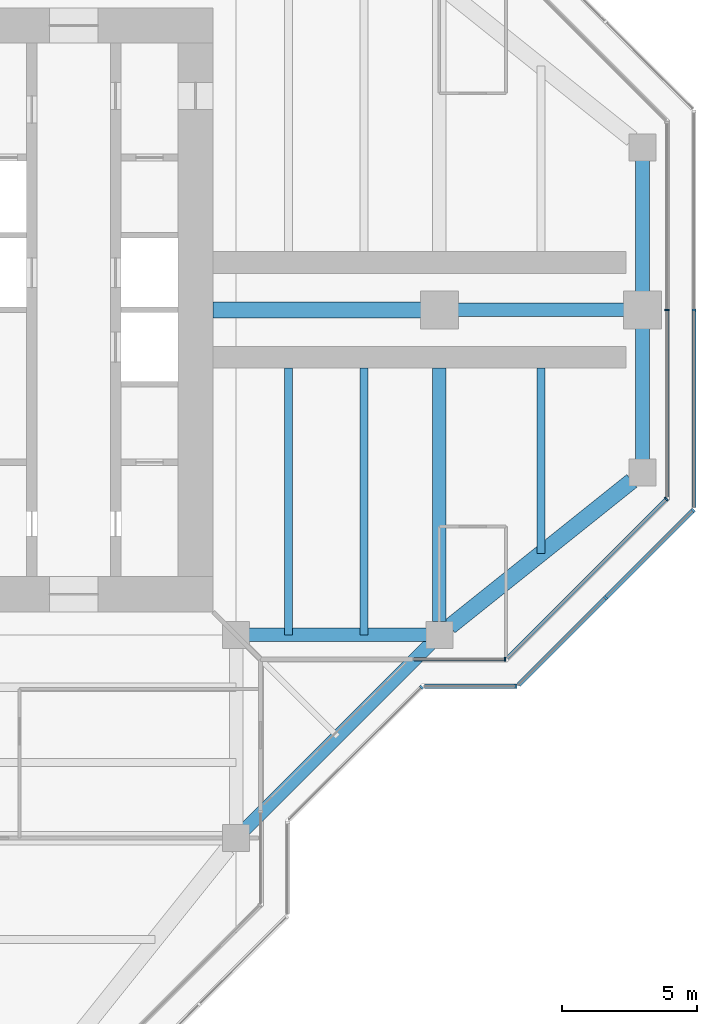
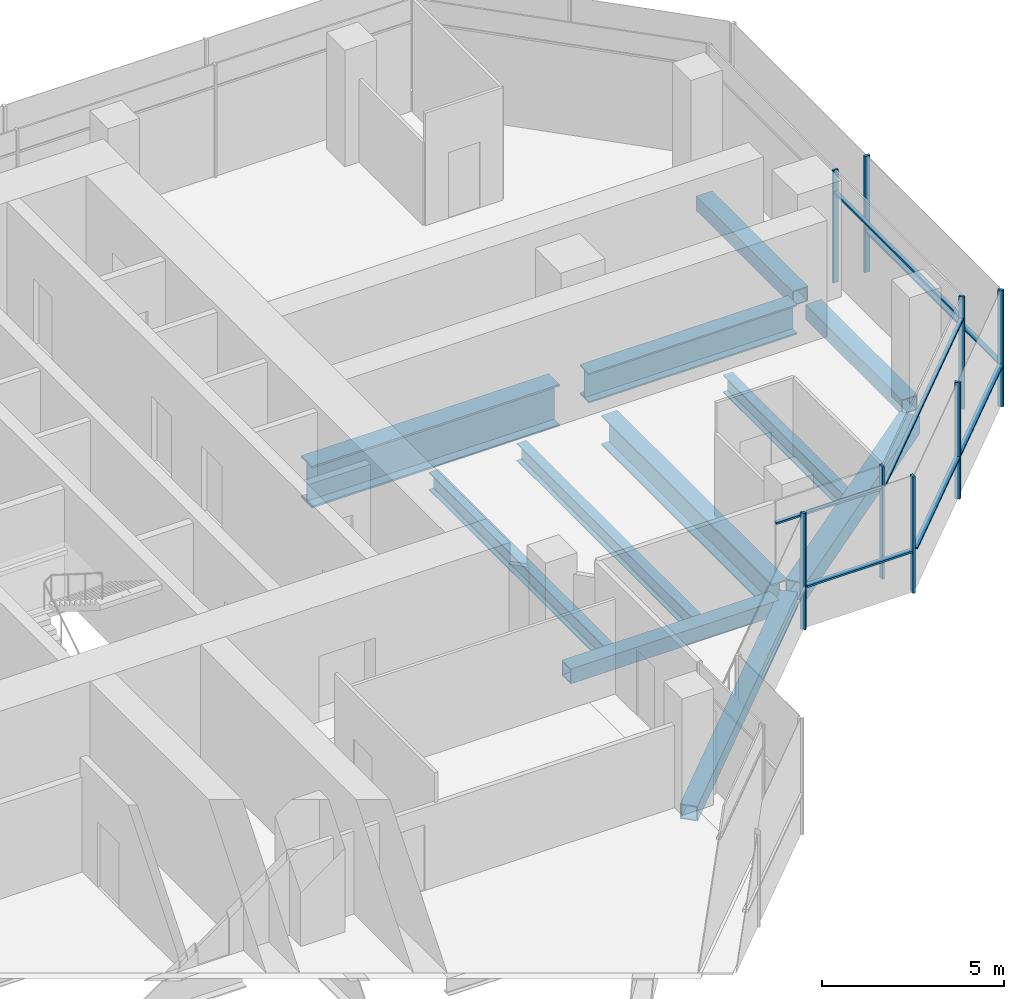
# One storey, part 5 of 15: 15 members, 11 beams, 7 elements without a shape of their own.
"""IFC4 building model written with IfcOpenShell, lengths in metres."""

from ifc_helpers import new_model, si_unit, direction, frame, origin, origin_2d, place, context, subcontext, project, spatial, rectangle, hollow_rectangle, i_section, extrude, material, material_profile, profile_set, type_object, element, aggregate, save


model = new_model("IFC4")

# Units and contexts
model_context = context("Model", 3, precision=1e-05, world=origin(), true_north=direction((0.0, 1.0)))
body_context = subcontext(model_context, "Body", "Model", "MODEL_VIEW")
ifc_project = project(units=[si_unit("LENGTHUNIT", "METRE"), si_unit("AREAUNIT", "SQUARE_METRE"), si_unit("VOLUMEUNIT", "CUBIC_METRE"), si_unit("PLANEANGLEUNIT", "RADIAN"), si_unit("MASSUNIT", "GRAM", prefix="KILO")], contexts=[model_context])

# Site, building, storey
site_placement = place(None, origin())
site = spatial("IfcSite", under=ifc_project, at=site_placement, CompositionType="ELEMENT")
building_placement = place(site_placement, origin())
building = spatial("IfcBuilding", under=site, at=building_placement, Name="Mizan Broadcast Tower", CompositionType="ELEMENT")
storey_placement = place(building_placement, frame((0.0, 0.0, 279.0)))
storey = spatial("IfcBuildingStorey", under=building, at=storey_placement, Name="L66", CompositionType="ELEMENT", Elevation=279.0)

# Beams
ifc_material_1 = material(Name="Steel S355", Category="steel")
ifc_material_profile_1 = material_profile(ifc_material_1, hollow_rectangle(XDim=0.5, YDim=0.5, WallThickness=0.030029296875, at=origin_2d()), Name="BOX 500x500x30")
ifc_profile_set_1 = profile_set([ifc_material_profile_1], Name="Steel S355")
beam_type_1 = type_object("IfcBeamType", Name="EDGE BEAM BOX 500x500x30", PredefinedType="SPANDREL", material=ifc_profile_set_1)
beam_1_placement = place(storey_placement, frame((12.449951171875, -12.0, -0.3798828125), z_axis=(1.0, 0.0, 0.0), x_axis=(0.0, 1.0, 0.0)))
element("IfcBeam", 1, at=beam_1_placement, inside=storey, type_object=beam_type_1, Name="Edge beam BOX 500x500x30 L66 east arm", PredefinedType="SPANDREL", context=body_context, shape_type="SweptSolid", body=[
    extrude(hollow_rectangle(XDim=0.5, YDim=0.5, WallThickness=0.030029296875, at=origin_2d()), origin(), (0.0, 0.0, 1.0), 6.60009765625),
])
for number, where, z_axis, x_axis, name in (
    (2, (27.0, -5.639892578125, -0.3798828125), (0.0, 1.0, 0.0), (-1.0, 0.0, 0.0), "Edge beam BOX 500x500x30 L66 east arm"),
    (3, (27.0, 5.639892578125, -0.3798828125), (0.0, -1.0, 0.0), (1.0, 0.0, 0.0), "Edge beam BOX 500x500x30 L66 east arm"),
):
    element("IfcBeam", number, at=place(storey_placement, frame(where, z_axis=z_axis, x_axis=x_axis)), inside=storey, type_object=beam_type_1, Name=name, PredefinedType="SPANDREL", context=body_context, shape_type="SweptSolid", body=[
        extrude(hollow_rectangle(XDim=0.5, YDim=0.5, WallThickness=0.030029296875, at=origin_2d()), origin(), (0.0, 0.0, 1.0), 5.27978515625),
    ])
beam_2_placement = place(storey_placement, frame((12.0, -19.5, -0.3798828125), z_axis=(0.707106781187, 0.707106781187, 0.0), x_axis=(-0.707106781187, 0.707106781187, 0.0)))
element("IfcBeam", 4, at=beam_2_placement, inside=storey, type_object=beam_type_1, Name="Winter garden edge beam L66 S", PredefinedType="SPANDREL", context=body_context, shape_type="SweptSolid", body=[
    extrude(hollow_rectangle(XDim=0.5, YDim=0.5, WallThickness=0.030029296875, at=origin_2d()), origin(), (0.0, 0.0, 1.0), 10.606689453125),
])
ifc_material_2 = material(Name="Steel S355", Category="steel")
ifc_material_profile_2 = material_profile(ifc_material_2, hollow_rectangle(XDim=0.60009765625, YDim=0.60009765625, WallThickness=0.030029296875, at=origin_2d()), Name="BOX 600x600x30")
ifc_profile_set_2 = profile_set([ifc_material_profile_2], Name="Steel S355")
beam_type_2 = type_object("IfcBeamType", Name="EDGE BEAM BOX 600x600x30", PredefinedType="SPANDREL", material=ifc_profile_set_2)
beam_3_placement = place(storey_placement, frame((19.890380859375, -11.687744140625, -0.429931640625), z_axis=(0.780863273348, 0.62470196761, 0.0), x_axis=(-0.62470196761, 0.780863273348, 0.0)))
element("IfcBeam", 5, at=beam_3_placement, inside=storey, type_object=beam_type_2, Name="Edge beam BOX 600x600x30 L66 east arm", PredefinedType="SPANDREL", context=body_context, shape_type="SweptSolid", body=[
    extrude(hollow_rectangle(XDim=0.60009765625, YDim=0.60009765625, WallThickness=0.030029296875, at=origin_2d()), origin(), (0.0, 0.0, 1.0), 8.60498046875),
])
ifc_material_3 = material(Name="Steel S460", Category="steel")
ifc_material_profile_3 = material_profile(ifc_material_3, i_section(OverallWidth=0.5, OverallDepth=1.0, WebThickness=0.02490234375, FlangeThickness=0.050048828125, at=origin_2d()), Name="WPG 1000x500")
ifc_profile_set_3 = profile_set([ifc_material_profile_3], Name="Steel S460")
beam_type_3 = type_object("IfcBeamType", Name="GIRDER WPG 1000x500", PredefinedType="BEAM", material=ifc_profile_set_3)
beam_4_placement = place(storey_placement, frame((19.949951171875, 0.0, -0.6298828125), z_axis=(1.0, 0.0, 0.0), x_axis=(0.0, 1.0, 0.0)))
element("IfcBeam", 6, at=beam_4_placement, inside=storey, type_object=beam_type_3, Name="Girder WPG 1000x500 L66 east arm", PredefinedType="BEAM", context=body_context, shape_type="SweptSolid", body=[
    extrude(i_section(OverallWidth=0.5, OverallDepth=1.0, WebThickness=0.02490234375, FlangeThickness=0.050048828125, at=origin_2d()), origin(), (0.0, 0.0, 1.0), 6.60009765625),
])
beam_5_placement = place(storey_placement, frame((19.5, -11.5, -0.6298828125), z_axis=(0.0, 1.0, 0.0), x_axis=(-1.0, 0.0, 0.0)))
element("IfcBeam", 7, at=beam_5_placement, inside=storey, type_object=beam_type_3, Name="Girder WPG 1000x500 L66 east arm", PredefinedType="BEAM", context=body_context, shape_type="SweptSolid", body=[
    extrude(i_section(OverallWidth=0.5, OverallDepth=1.0, WebThickness=0.02490234375, FlangeThickness=0.050048828125, at=origin_2d()), origin(), (0.0, 0.0, 1.0), 9.35009765625),
])
ifc_material_4 = material(Name="Steel S460", Category="steel")
ifc_material_profile_4 = material_profile(ifc_material_4, i_section(OverallWidth=0.60009765625, OverallDepth=1.39990234375, WebThickness=0.02490234375, FlangeThickness=0.06005859375, at=origin_2d()), Name="WPG 1400x600")
ifc_profile_set_4 = profile_set([ifc_material_profile_4], Name="Steel S460")
beam_type_4 = type_object("IfcBeamType", Name="GIRDER WPG 1400x600", PredefinedType="BEAM", material=ifc_profile_set_4)
beam_6_placement = place(storey_placement, frame((11.14990234375, 0.0, -0.830078125), z_axis=(1.0, 0.0, 0.0), x_axis=(0.0, 1.0, 0.0)))
element("IfcBeam", 8, at=beam_6_placement, inside=storey, type_object=beam_type_4, Name="Girder WPG 1400x600 L66 east arm", PredefinedType="BEAM", context=body_context, shape_type="SweptSolid", body=[
    extrude(i_section(OverallWidth=0.60009765625, OverallDepth=1.39990234375, WebThickness=0.02490234375, FlangeThickness=0.06005859375, at=origin_2d()), origin(), (0.0, 0.0, 1.0), 7.84912109375),
])

# Curtain wall, member
ifc_material_5 = material(Name="Aluminium framed glazing", Category="aluminium")
curtain_wall_type_1 = type_object("IfcCurtainWallType", Name="INNER SKIN TOP ZONE", PredefinedType="USERDEFINED", material=ifc_material_5)
curtain_wall_1_placement = place(storey_placement, origin())
curtain_wall_1 = element("IfcCurtainWall", 9, at=curtain_wall_1_placement, inside=storey, type_object=curtain_wall_type_1, Name="Inner skin top zone L66 E side", ObjectType="INNER SKIN TOP ZONE", PredefinedType="USERDEFINED")
ifc_material_6 = material(Name="Aluminium, pale anodised", Category="aluminium")
ifc_material_profile_5 = material_profile(ifc_material_6, rectangle(XDim=0.159912109375, YDim=0.06005859375, at=origin_2d()), Name="MULLION 160x60")
ifc_profile_set_5 = profile_set([ifc_material_profile_5], Name="Aluminium, pale anodised")
member_type_1 = type_object("IfcMemberType", Name="INNER SKIN MULLION 60x160", PredefinedType="MULLION", material=ifc_profile_set_5)
member_1_placement = place(storey_placement, frame((21.928466796875, -12.89990234375, 0.0), z_axis=(0.0, 0.0, 1.0), x_axis=(0.0, 1.0, 0.0)))
member_1 = element("IfcMember", 10, at=member_1_placement, type_object=member_type_1, Name="Inner skin top zone L66 E side mullion 2", PredefinedType="MULLION", context=body_context, shape_type="SweptSolid", body=[
    extrude(rectangle(XDim=0.159912109375, YDim=0.06005859375, at=origin_2d()), origin(), (0.0, 0.0, 1.0), 3.77001953125),
])

curtain_wall_2_placement = place(storey_placement, origin())
curtain_wall_2 = element("IfcCurtainWall", 11, at=curtain_wall_2_placement, inside=storey, type_object=curtain_wall_type_1, Name="Inner skin top zone L66 E chamfer", ObjectType="INNER SKIN TOP ZONE", PredefinedType="USERDEFINED")
member_2_placement = place(storey_placement, frame((27.87890625, -6.979736328125, 0.0), z_axis=(0.0, 0.0, 1.0), x_axis=(-0.707106781187, 0.707106781187, 0.0)))
member_2 = element("IfcMember", 12, at=member_2_placement, type_object=member_type_1, Name="Inner skin top zone L66 E chamfer mullion 2", PredefinedType="MULLION", context=body_context, shape_type="SweptSolid", body=[
    extrude(rectangle(XDim=0.159912109375, YDim=0.06005859375, at=origin_2d()), origin(), (0.0, 0.0, 1.0), 3.77001953125),
])

curtain_wall_3_placement = place(storey_placement, origin())
curtain_wall_3 = element("IfcCurtainWall", 13, at=curtain_wall_3_placement, inside=storey, type_object=curtain_wall_type_1, Name="Inner skin top zone L66 E end", ObjectType="INNER SKIN TOP ZONE", PredefinedType="USERDEFINED")
member_3_placement = place(storey_placement, frame((27.89990234375, 0.0, 0.0), z_axis=(0.0, 0.0, 1.0), x_axis=(-1.0, 0.0, 0.0)))
member_3 = element("IfcMember", 14, at=member_3_placement, type_object=member_type_1, Name="Inner skin top zone L66 E end mullion 2", PredefinedType="MULLION", context=body_context, shape_type="SweptSolid", body=[
    extrude(rectangle(XDim=0.159912109375, YDim=0.06005859375, at=origin_2d()), origin(), (0.0, 0.0, 1.0), 3.77001953125),
])

# Member
ifc_material_7 = material(Name="Aluminium, pale anodised", Category="aluminium")
ifc_material_profile_6 = material_profile(ifc_material_7, rectangle(XDim=0.1201171875, YDim=0.06005859375, at=origin_2d()), Name="TRANSOM 120x60")
ifc_profile_set_6 = profile_set([ifc_material_profile_6], Name="Aluminium, pale anodised")
member_type_2 = type_object("IfcMemberType", Name="INNER SKIN TRANSOM 60x120", PredefinedType="USERDEFINED", material=ifc_profile_set_6)
member_4_placement = place(storey_placement, frame((18.56005859375, -12.89990234375, 3.030029296875), z_axis=(1.0, 0.0, 0.0), x_axis=(0.0, 1.0, 0.0)))
member_4 = element("IfcMember", 15, at=member_4_placement, type_object=member_type_2, Name="Inner skin top zone L66 E side transom 1.1", ObjectType="TRANSOM", PredefinedType="USERDEFINED", context=body_context, shape_type="SweptSolid", body=[
    extrude(rectangle(XDim=0.1201171875, YDim=0.06005859375, at=origin_2d()), origin(), (0.0, 0.0, 1.0), 3.338623046875),
])

aggregate(curtain_wall_1, [member_1, member_4])

member_5_placement = place(storey_placement, frame((22.0009765625, -12.857666015625, 3.030029296875), z_axis=(0.707106781187, 0.707106781187, 0.0), x_axis=(-0.707106781187, 0.707106781187, 0.0)))
member_5 = element("IfcMember", 16, at=member_5_placement, type_object=member_type_2, Name="Inner skin top zone L66 E chamfer transom 1.1", ObjectType="TRANSOM", PredefinedType="USERDEFINED", context=body_context, shape_type="SweptSolid", body=[
    extrude(rectangle(XDim=0.1201171875, YDim=0.06005859375, at=origin_2d()), origin(), (0.0, 0.0, 1.0), 8.28271484375),
])

aggregate(curtain_wall_2, [member_2, member_5])

member_6_placement = place(storey_placement, frame((27.89990234375, -6.898681640625, 3.030029296875), z_axis=(0.0, 1.0, 0.0), x_axis=(-1.0, 0.0, 0.0)))
member_6 = element("IfcMember", 17, at=member_6_placement, type_object=member_type_2, Name="Inner skin top zone L66 E end transom 1.1", ObjectType="TRANSOM", PredefinedType="USERDEFINED", context=body_context, shape_type="SweptSolid", body=[
    extrude(rectangle(XDim=0.1201171875, YDim=0.06005859375, at=origin_2d()), origin(), (0.0, 0.0, 1.0), 6.86865234375),
])

aggregate(curtain_wall_3, [member_3, member_6])

# Curtain wall, member
ifc_material_8 = material(Name="Aluminium framed glazing", Category="aluminium")
curtain_wall_type_2 = type_object("IfcCurtainWallType", Name="OUTER SKIN", PredefinedType="USERDEFINED", material=ifc_material_8)
curtain_wall_4_placement = place(storey_placement, origin())
curtain_wall_4 = element("IfcCurtainWall", 18, at=curtain_wall_4_placement, inside=storey, type_object=curtain_wall_type_2, Name="Outer skin L66 E chamfer", ObjectType="OUTER SKIN", PredefinedType="USERDEFINED")
ifc_material_9 = material(Name="Aluminium, pale anodised", Category="aluminium")
ifc_material_profile_7 = material_profile(ifc_material_9, rectangle(XDim=0.159912109375, YDim=0.080078125, at=origin_2d()), Name="MULLION 160x80")
ifc_profile_set_7 = profile_set([ifc_material_profile_7], Name="Aluminium, pale anodised")
member_type_3 = type_object("IfcMemberType", Name="OUTER SKIN MULLION 80x160", PredefinedType="MULLION", material=ifc_profile_set_7)
member_7_placement = place(storey_placement, frame((18.844482421875, -13.92822265625, 0.0), z_axis=(0.0, 0.0, 1.0), x_axis=(-0.707106781187, 0.707106781187, 0.0)))
member_7 = element("IfcMember", 19, at=member_7_placement, type_object=member_type_3, Name="Outer skin L66 E chamfer mullion 2", PredefinedType="MULLION", context=body_context, shape_type="SweptSolid", body=[
    extrude(rectangle(XDim=0.159912109375, YDim=0.080078125, at=origin_2d()), origin(), (0.0, 0.0, 1.0), 3.89990234375),
])
aggregate(curtain_wall_4, [member_7])

curtain_wall_5_placement = place(storey_placement, origin())
curtain_wall_5 = element("IfcCurtainWall", 20, at=curtain_wall_5_placement, inside=storey, type_object=curtain_wall_type_2, Name="Outer skin L66 E side", ObjectType="OUTER SKIN", PredefinedType="USERDEFINED")
member_8_placement = place(storey_placement, frame((22.332763671875, -13.89990234375, 0.0), z_axis=(0.0, 0.0, 1.0), x_axis=(0.0, 1.0, 0.0)))
member_8 = element("IfcMember", 21, at=member_8_placement, type_object=member_type_3, Name="Outer skin L66 E side mullion 2", PredefinedType="MULLION", context=body_context, shape_type="SweptSolid", body=[
    extrude(rectangle(XDim=0.159912109375, YDim=0.080078125, at=origin_2d()), origin(), (0.0, 0.0, 1.0), 3.89990234375),
])

# Curtain wall, members
curtain_wall_6_placement = place(storey_placement, origin())
curtain_wall_6 = element("IfcCurtainWall", 22, at=curtain_wall_6_placement, inside=storey, type_object=curtain_wall_type_2, Name="Outer skin L66 E chamfer", ObjectType="OUTER SKIN", PredefinedType="USERDEFINED")
member_9_placement = place(storey_placement, frame((25.636474609375, -10.636474609375, 0.0), z_axis=(0.0, 0.0, 1.0), x_axis=(-0.707106781187, 0.707106781187, 0.0)))
member_9 = element("IfcMember", 23, at=member_9_placement, type_object=member_type_3, Name="Outer skin L66 E chamfer mullion 2", PredefinedType="MULLION", context=body_context, shape_type="SweptSolid", body=[
    extrude(rectangle(XDim=0.159912109375, YDim=0.080078125, at=origin_2d()), origin(), (0.0, 0.0, 1.0), 3.89990234375),
])
member_10_placement = place(storey_placement, frame((28.871826171875, -7.401123046875, 0.0), z_axis=(0.0, 0.0, 1.0), x_axis=(-0.707106781187, 0.707106781187, 0.0)))
member_10 = element("IfcMember", 24, at=member_10_placement, type_object=member_type_3, Name="Outer skin L66 E chamfer mullion 3", PredefinedType="MULLION", context=body_context, shape_type="SweptSolid", body=[
    extrude(rectangle(XDim=0.159912109375, YDim=0.080078125, at=origin_2d()), origin(), (0.0, 0.0, 1.0), 3.89990234375),
])

# Curtain wall, member
curtain_wall_7_placement = place(storey_placement, origin())
curtain_wall_7 = element("IfcCurtainWall", 25, at=curtain_wall_7_placement, inside=storey, type_object=curtain_wall_type_2, Name="Outer skin L66 E end", ObjectType="OUTER SKIN", PredefinedType="USERDEFINED")
member_11_placement = place(storey_placement, frame((28.89990234375, 0.0, 0.0), z_axis=(0.0, 0.0, 1.0), x_axis=(-1.0, 0.0, 0.0)))
member_11 = element("IfcMember", 26, at=member_11_placement, type_object=member_type_3, Name="Outer skin L66 E end mullion 2", PredefinedType="MULLION", context=body_context, shape_type="SweptSolid", body=[
    extrude(rectangle(XDim=0.159912109375, YDim=0.080078125, at=origin_2d()), origin(), (0.0, 0.0, 1.0), 3.89990234375),
])

# Member
ifc_material_10 = material(Name="Aluminium, pale anodised", Category="aluminium")
ifc_material_profile_8 = material_profile(ifc_material_10, rectangle(XDim=0.159912109375, YDim=0.06005859375, at=origin_2d()), Name="TRANSOM 160x60")
ifc_profile_set_8 = profile_set([ifc_material_profile_8], Name="Aluminium, pale anodised")
member_type_4 = type_object("IfcMemberType", Name="OUTER SKIN TRANSOM 60x160", PredefinedType="USERDEFINED", material=ifc_profile_set_8)
member_12_placement = place(storey_placement, frame((18.952880859375, -13.89990234375, 1.39990234375), z_axis=(1.0, 0.0, 0.0), x_axis=(0.0, 1.0, 0.0)))
member_12 = element("IfcMember", 27, at=member_12_placement, type_object=member_type_4, Name="Outer skin L66 E side transom 1.1", ObjectType="TRANSOM", PredefinedType="USERDEFINED", context=body_context, shape_type="SweptSolid", body=[
    extrude(rectangle(XDim=0.159912109375, YDim=0.06005859375, at=origin_2d()), origin(), (0.0, 0.0, 1.0), 3.33984375),
])

aggregate(curtain_wall_5, [member_8, member_12])

member_13_placement = place(storey_placement, frame((22.429443359375, -13.843505859375, 1.39990234375), z_axis=(0.707106781187, 0.707106781187, 0.0), x_axis=(-0.707106781187, 0.707106781187, 0.0)))
member_13 = element("IfcMember", 28, at=member_13_placement, type_object=member_type_4, Name="Outer skin L66 E chamfer transom 1.1", ObjectType="TRANSOM", PredefinedType="USERDEFINED", context=body_context, shape_type="SweptSolid", body=[
    extrude(rectangle(XDim=0.159912109375, YDim=0.06005859375, at=origin_2d()), origin(), (0.0, 0.0, 1.0), 4.495361328125),
])

member_14_placement = place(storey_placement, frame((25.664794921875, -10.608154296875, 1.39990234375), z_axis=(0.707106781187, 0.707106781187, 0.0), x_axis=(-0.707106781187, 0.707106781187, 0.0)))
member_14 = element("IfcMember", 29, at=member_14_placement, type_object=member_type_4, Name="Outer skin L66 E chamfer transom 2.1", ObjectType="TRANSOM", PredefinedType="USERDEFINED", context=body_context, shape_type="SweptSolid", body=[
    extrude(rectangle(XDim=0.159912109375, YDim=0.06005859375, at=origin_2d()), origin(), (0.0, 0.0, 1.0), 4.495361328125),
])

aggregate(curtain_wall_6, [member_9, member_10, member_13, member_14])

member_15_placement = place(storey_placement, frame((28.89990234375, -7.292724609375, 1.39990234375), z_axis=(0.0, 1.0, 0.0), x_axis=(-1.0, 0.0, 0.0)))
member_15 = element("IfcMember", 30, at=member_15_placement, type_object=member_type_4, Name="Outer skin L66 E end transom 1.1", ObjectType="TRANSOM", PredefinedType="USERDEFINED", context=body_context, shape_type="SweptSolid", body=[
    extrude(rectangle(XDim=0.159912109375, YDim=0.06005859375, at=origin_2d()), origin(), (0.0, 0.0, 1.0), 7.252685546875),
])

aggregate(curtain_wall_7, [member_11, member_15])

# Beams
ifc_material_11 = material(Name="Steel S355", Category="steel")
ifc_material_profile_9 = material_profile(ifc_material_11, i_section(OverallWidth=0.300048828125, OverallDepth=0.590087890625, WebThickness=0.012939453125, FlangeThickness=0.02490234375, FilletRadius=0.027099609375, at=origin_2d()), Name="HEA 600")
ifc_profile_set_9 = profile_set([ifc_material_profile_9], Name="Steel S355")
beam_type_5 = type_object("IfcBeamType", Name="SECONDARY BEAM HEA 600", PredefinedType="JOIST", material=ifc_profile_set_9)
for number, where, z_axis, x_axis, name in (
    (31, (13.933349609375, -12.0, -0.425048828125), (0.0, 1.0, 0.0), (-1.0, 0.0, 0.0), "Secondary beam HEA 600 L66 east arm"),
    (32, (16.716552734375, -12.0, -0.425048828125), (0.0, 1.0, 0.0), (-1.0, 0.0, 0.0), "Secondary beam HEA 600 L66 east arm"),
):
    element("IfcBeam", number, at=place(storey_placement, frame(where, z_axis=z_axis, x_axis=x_axis)), inside=storey, type_object=beam_type_5, Name=name, PredefinedType="JOIST", context=body_context, shape_type="SweptSolid", body=[
        extrude(i_section(OverallWidth=0.300048828125, OverallDepth=0.590087890625, WebThickness=0.012939453125, FlangeThickness=0.02490234375, FilletRadius=0.027099609375, at=origin_2d()), origin(), (0.0, 0.0, 1.0), 9.85009765625),
    ])
beam_7_placement = place(storey_placement, frame((23.25, -9.0, -0.425048828125), z_axis=(0.0, 1.0, 0.0), x_axis=(-1.0, 0.0, 0.0)))
element("IfcBeam", 33, at=beam_7_placement, inside=storey, type_object=beam_type_5, Name="Secondary beam HEA 600 L66 east arm", PredefinedType="JOIST", context=body_context, shape_type="SweptSolid", body=[
    extrude(i_section(OverallWidth=0.300048828125, OverallDepth=0.590087890625, WebThickness=0.012939453125, FlangeThickness=0.02490234375, FilletRadius=0.027099609375, at=origin_2d()), origin(), (0.0, 0.0, 1.0), 6.85009765625),
])

save(model, "model.ifc")
